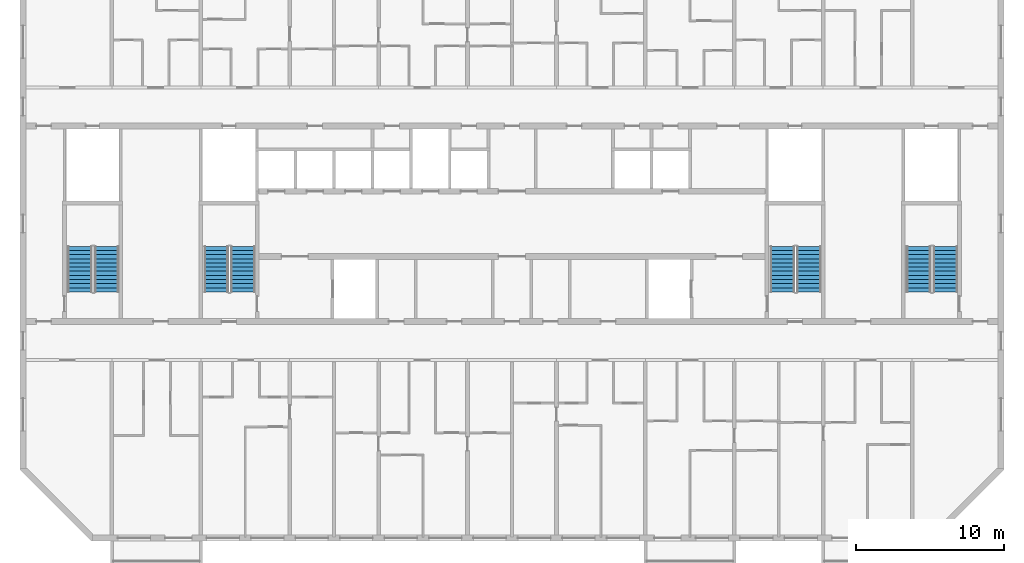
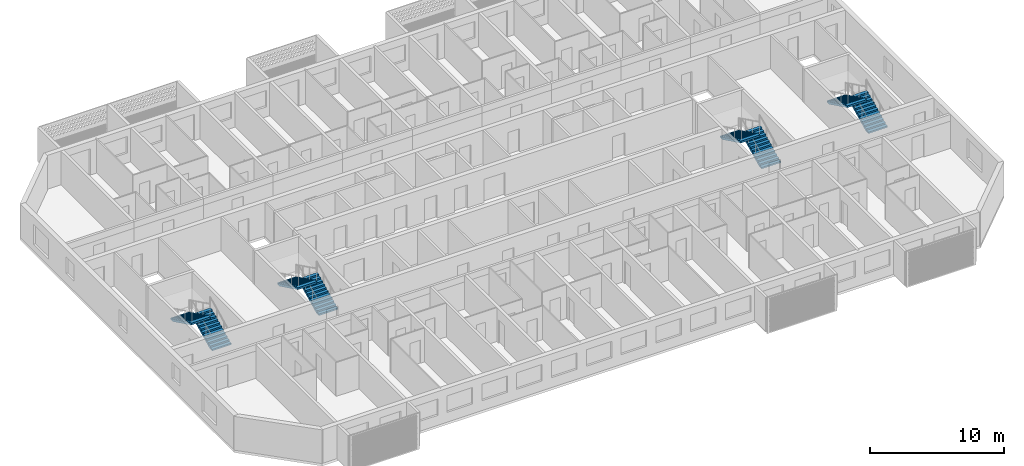
# One storey, part 12 of 28: 8 stair flights, 4 elements without a shape of their own.
"""IFC4 building model written with IfcOpenShell, lengths in metres."""

from ifc_helpers import new_model, si_unit, direction, frame, origin, place, context, subcontext, project, spatial, polyline, outline, extrude, material, layer, layer_set, type_object, element, aggregate, save


model = new_model("IFC4")

# Units and contexts
model_context = context("Model", 3, precision=1e-05, world=origin(), true_north=direction((0.0, 1.0)))
body_context = subcontext(model_context, "Body", "Model", "MODEL_VIEW")
ifc_project = project(units=[si_unit("LENGTHUNIT", "METRE"), si_unit("AREAUNIT", "SQUARE_METRE"), si_unit("VOLUMEUNIT", "CUBIC_METRE"), si_unit("PLANEANGLEUNIT", "RADIAN"), si_unit("MASSUNIT", "GRAM", prefix="KILO")], contexts=[model_context])

# Site, building, storey
site_placement = place(None, origin())
site = spatial("IfcSite", under=ifc_project, at=site_placement, CompositionType="ELEMENT")
building_placement = place(site_placement, origin())
building = spatial("IfcBuilding", under=site, at=building_placement, Name="Poui Terraces", CompositionType="ELEMENT")
storey_placement = place(building_placement, frame((0.0, 0.0, 185.10009765625)))
storey = spatial("IfcBuildingStorey", under=building, at=storey_placement, Name="L51", CompositionType="ELEMENT", Elevation=185.10009765625)

# Stair, stair flights
ifc_material = material(Name="Concrete 50 MPa", Category="concrete")
stair_type = type_object("IfcStairType", Name="EXIT STAIR 1650 50 MPA", PredefinedType="HALF_TURN_STAIR", material=ifc_material)
stair_1_placement = place(storey_placement, origin())
stair_1 = element("IfcStair", 1, at=stair_1_placement, inside=storey, type_object=stair_type, Name="L51 CORE STAIR EAST", PredefinedType="HALF_TURN_STAIR")
ifc_layer = layer(ifc_material, 0.14990234375)
ifc_layer_set = layer_set([ifc_layer], Name="Concrete 50 MPa")
stair_flight_type = type_object("IfcStairFlightType", Name="STAIR FLIGHT 12 RISERS 138 RISE 50 MPA", PredefinedType="STRAIGHT", material=ifc_layer_set)
stair_flight_1_placement = place(storey_placement, frame((71.050048828125, 16.60009765625, 0.0), z_axis=(0.0, 0.0, 1.0), x_axis=(0.0, 1.0, 0.0)))
stair_flight_1 = element("IfcStairFlight", 2, at=stair_flight_1_placement, type_object=stair_flight_type, Name="ST-CE flight 1", NumberOfRisers=12, NumberOfTreads=11, PredefinedType="STRAIGHT", RiserHeight=0.1375, TreadLength=0.28, context=body_context, shape_type="SweptSolid", body=[
    extrude(outline(polyline([(0.0, 0.0), (0.0, 0.137451171875), (0.280029296875, 0.137451171875), (0.280029296875, 0.27490234375), (0.56005859375, 0.27490234375), (0.56005859375, 0.41259765625), (0.840087890625, 0.41259765625), (0.840087890625, 0.550048828125), (1.1201171875, 0.550048828125), (1.1201171875, 0.6875), (1.39990234375, 0.6875), (1.39990234375, 0.824951171875), (1.679931640625, 0.824951171875), (1.679931640625, 0.96240234375), (1.9599609375, 0.96240234375), (1.9599609375, 1.10009765625), (2.239990234375, 1.10009765625), (2.239990234375, 1.237548828125), (2.52001953125, 1.237548828125), (2.52001953125, 1.375), (2.800048828125, 1.375), (2.800048828125, 1.512451171875), (3.080078125, 1.512451171875), (3.080078125, 1.64990234375), (3.080078125, 1.345458984375), (0.340087890625, 0.0), (0.0, 0.0)])), frame((0.0, 0.824951171875, 0.0), z_axis=(0.0, -1.0, 0.0), x_axis=(1.0, 0.0, 0.0)), (0.0, 0.0, 1.0), 1.64990234375),
])
stair_flight_2_placement = place(storey_placement, frame((69.25, 19.679931640625, 1.64990234375), z_axis=(0.0, 0.0, 1.0), x_axis=(0.0, -1.0, 0.0)))
stair_flight_2 = element("IfcStairFlight", 3, at=stair_flight_2_placement, type_object=stair_flight_type, Name="ST-CE flight 2", NumberOfRisers=12, NumberOfTreads=11, PredefinedType="STRAIGHT", RiserHeight=0.1375, TreadLength=0.28, context=body_context, shape_type="SweptSolid", body=[
    extrude(outline(polyline([(0.0, 0.0), (0.0, 0.137451171875), (0.280029296875, 0.137451171875), (0.280029296875, 0.27490234375), (0.56005859375, 0.27490234375), (0.56005859375, 0.41259765625), (0.840087890625, 0.41259765625), (0.840087890625, 0.550048828125), (1.1201171875, 0.550048828125), (1.1201171875, 0.6875), (1.39990234375, 0.6875), (1.39990234375, 0.824951171875), (1.679931640625, 0.824951171875), (1.679931640625, 0.96240234375), (1.9599609375, 0.96240234375), (1.9599609375, 1.10009765625), (2.239990234375, 1.10009765625), (2.239990234375, 1.237548828125), (2.52001953125, 1.237548828125), (2.52001953125, 1.375), (2.800048828125, 1.375), (2.800048828125, 1.512451171875), (3.080078125, 1.512451171875), (3.080078125, 1.64990234375), (3.080078125, 1.345458984375), (0.340087890625, 0.0), (0.0, 0.0)])), frame((0.0, 0.824951171875, 0.0), z_axis=(0.0, -1.0, 0.0), x_axis=(1.0, 0.0, 0.0)), (0.0, 0.0, 1.0), 1.64990234375),
])
aggregate(stair_1, [stair_flight_1, stair_flight_2])

stair_2_placement = place(storey_placement, origin())
stair_2 = element("IfcStair", 4, at=stair_2_placement, inside=storey, type_object=stair_type, Name="L51 CORE STAIR WEST", PredefinedType="HALF_TURN_STAIR")
stair_flight_3_placement = place(storey_placement, frame((32.85009765625, 16.60009765625, 0.0), z_axis=(0.0, 0.0, 1.0), x_axis=(0.0, 1.0, 0.0)))
stair_flight_3 = element("IfcStairFlight", 5, at=stair_flight_3_placement, type_object=stair_flight_type, Name="ST-CW flight 1", NumberOfRisers=12, NumberOfTreads=11, PredefinedType="STRAIGHT", RiserHeight=0.1375, TreadLength=0.28, context=body_context, shape_type="SweptSolid", body=[
    extrude(outline(polyline([(0.0, 0.0), (0.0, 0.137451171875), (0.280029296875, 0.137451171875), (0.280029296875, 0.27490234375), (0.56005859375, 0.27490234375), (0.56005859375, 0.41259765625), (0.840087890625, 0.41259765625), (0.840087890625, 0.550048828125), (1.1201171875, 0.550048828125), (1.1201171875, 0.6875), (1.39990234375, 0.6875), (1.39990234375, 0.824951171875), (1.679931640625, 0.824951171875), (1.679931640625, 0.96240234375), (1.9599609375, 0.96240234375), (1.9599609375, 1.10009765625), (2.239990234375, 1.10009765625), (2.239990234375, 1.237548828125), (2.52001953125, 1.237548828125), (2.52001953125, 1.375), (2.800048828125, 1.375), (2.800048828125, 1.512451171875), (3.080078125, 1.512451171875), (3.080078125, 1.64990234375), (3.080078125, 1.345458984375), (0.340087890625, 0.0), (0.0, 0.0)])), frame((0.0, 0.824951171875, 0.0), z_axis=(0.0, -1.0, 0.0), x_axis=(1.0, 0.0, 0.0)), (0.0, 0.0, 1.0), 1.64990234375),
])
stair_flight_4_placement = place(storey_placement, frame((31.050048828125, 19.679931640625, 1.64990234375), z_axis=(0.0, 0.0, 1.0), x_axis=(0.0, -1.0, 0.0)))
stair_flight_4 = element("IfcStairFlight", 6, at=stair_flight_4_placement, type_object=stair_flight_type, Name="ST-CW flight 2", NumberOfRisers=12, NumberOfTreads=11, PredefinedType="STRAIGHT", RiserHeight=0.1375, TreadLength=0.28, context=body_context, shape_type="SweptSolid", body=[
    extrude(outline(polyline([(0.0, 0.0), (0.0, 0.137451171875), (0.280029296875, 0.137451171875), (0.280029296875, 0.27490234375), (0.56005859375, 0.27490234375), (0.56005859375, 0.41259765625), (0.840087890625, 0.41259765625), (0.840087890625, 0.550048828125), (1.1201171875, 0.550048828125), (1.1201171875, 0.6875), (1.39990234375, 0.6875), (1.39990234375, 0.824951171875), (1.679931640625, 0.824951171875), (1.679931640625, 0.96240234375), (1.9599609375, 0.96240234375), (1.9599609375, 1.10009765625), (2.239990234375, 1.10009765625), (2.239990234375, 1.237548828125), (2.52001953125, 1.237548828125), (2.52001953125, 1.375), (2.800048828125, 1.375), (2.800048828125, 1.512451171875), (3.080078125, 1.512451171875), (3.080078125, 1.64990234375), (3.080078125, 1.345458984375), (0.340087890625, 0.0), (0.0, 0.0)])), frame((0.0, 0.824951171875, 0.0), z_axis=(0.0, -1.0, 0.0), x_axis=(1.0, 0.0, 0.0)), (0.0, 0.0, 1.0), 1.64990234375),
])
aggregate(stair_2, [stair_flight_3, stair_flight_4])

stair_3_placement = place(storey_placement, origin())
stair_3 = element("IfcStair", 7, at=stair_3_placement, inside=storey, type_object=stair_type, Name="L51 TIP STAIR EAST", PredefinedType="HALF_TURN_STAIR")
stair_flight_5_placement = place(storey_placement, frame((80.25, 16.60009765625, 0.0), z_axis=(0.0, 0.0, 1.0), x_axis=(0.0, 1.0, 0.0)))
stair_flight_5 = element("IfcStairFlight", 8, at=stair_flight_5_placement, type_object=stair_flight_type, Name="ST-E flight 1", NumberOfRisers=12, NumberOfTreads=11, PredefinedType="STRAIGHT", RiserHeight=0.1375, TreadLength=0.28, context=body_context, shape_type="SweptSolid", body=[
    extrude(outline(polyline([(0.0, 0.0), (0.0, 0.137451171875), (0.280029296875, 0.137451171875), (0.280029296875, 0.27490234375), (0.56005859375, 0.27490234375), (0.56005859375, 0.41259765625), (0.840087890625, 0.41259765625), (0.840087890625, 0.550048828125), (1.1201171875, 0.550048828125), (1.1201171875, 0.6875), (1.39990234375, 0.6875), (1.39990234375, 0.824951171875), (1.679931640625, 0.824951171875), (1.679931640625, 0.96240234375), (1.9599609375, 0.96240234375), (1.9599609375, 1.10009765625), (2.239990234375, 1.10009765625), (2.239990234375, 1.237548828125), (2.52001953125, 1.237548828125), (2.52001953125, 1.375), (2.800048828125, 1.375), (2.800048828125, 1.512451171875), (3.080078125, 1.512451171875), (3.080078125, 1.64990234375), (3.080078125, 1.345458984375), (0.340087890625, 0.0), (0.0, 0.0)])), frame((0.0, 0.824951171875, 0.0), z_axis=(0.0, -1.0, 0.0), x_axis=(1.0, 0.0, 0.0)), (0.0, 0.0, 1.0), 1.64990234375),
])
stair_flight_6_placement = place(storey_placement, frame((78.449951171875, 19.679931640625, 1.64990234375), z_axis=(0.0, 0.0, 1.0), x_axis=(0.0, -1.0, 0.0)))
stair_flight_6 = element("IfcStairFlight", 9, at=stair_flight_6_placement, type_object=stair_flight_type, Name="ST-E flight 2", NumberOfRisers=12, NumberOfTreads=11, PredefinedType="STRAIGHT", RiserHeight=0.1375, TreadLength=0.28, context=body_context, shape_type="SweptSolid", body=[
    extrude(outline(polyline([(0.0, 0.0), (0.0, 0.137451171875), (0.280029296875, 0.137451171875), (0.280029296875, 0.27490234375), (0.56005859375, 0.27490234375), (0.56005859375, 0.41259765625), (0.840087890625, 0.41259765625), (0.840087890625, 0.550048828125), (1.1201171875, 0.550048828125), (1.1201171875, 0.6875), (1.39990234375, 0.6875), (1.39990234375, 0.824951171875), (1.679931640625, 0.824951171875), (1.679931640625, 0.96240234375), (1.9599609375, 0.96240234375), (1.9599609375, 1.10009765625), (2.239990234375, 1.10009765625), (2.239990234375, 1.237548828125), (2.52001953125, 1.237548828125), (2.52001953125, 1.375), (2.800048828125, 1.375), (2.800048828125, 1.512451171875), (3.080078125, 1.512451171875), (3.080078125, 1.64990234375), (3.080078125, 1.345458984375), (0.340087890625, 0.0), (0.0, 0.0)])), frame((0.0, 0.824951171875, 0.0), z_axis=(0.0, -1.0, 0.0), x_axis=(1.0, 0.0, 0.0)), (0.0, 0.0, 1.0), 1.64990234375),
])
aggregate(stair_3, [stair_flight_5, stair_flight_6])

stair_4_placement = place(storey_placement, origin())
stair_4 = element("IfcStair", 10, at=stair_4_placement, inside=storey, type_object=stair_type, Name="L51 TIP STAIR WEST", PredefinedType="HALF_TURN_STAIR")
stair_flight_7_placement = place(storey_placement, frame((23.64990234375, 16.60009765625, 0.0), z_axis=(0.0, 0.0, 1.0), x_axis=(0.0, 1.0, 0.0)))
stair_flight_7 = element("IfcStairFlight", 11, at=stair_flight_7_placement, type_object=stair_flight_type, Name="ST-W flight 1", NumberOfRisers=12, NumberOfTreads=11, PredefinedType="STRAIGHT", RiserHeight=0.1375, TreadLength=0.28, context=body_context, shape_type="SweptSolid", body=[
    extrude(outline(polyline([(0.0, 0.0), (0.0, 0.137451171875), (0.280029296875, 0.137451171875), (0.280029296875, 0.27490234375), (0.56005859375, 0.27490234375), (0.56005859375, 0.41259765625), (0.840087890625, 0.41259765625), (0.840087890625, 0.550048828125), (1.1201171875, 0.550048828125), (1.1201171875, 0.6875), (1.39990234375, 0.6875), (1.39990234375, 0.824951171875), (1.679931640625, 0.824951171875), (1.679931640625, 0.96240234375), (1.9599609375, 0.96240234375), (1.9599609375, 1.10009765625), (2.239990234375, 1.10009765625), (2.239990234375, 1.237548828125), (2.52001953125, 1.237548828125), (2.52001953125, 1.375), (2.800048828125, 1.375), (2.800048828125, 1.512451171875), (3.080078125, 1.512451171875), (3.080078125, 1.64990234375), (3.080078125, 1.345458984375), (0.340087890625, 0.0), (0.0, 0.0)])), frame((0.0, 0.824951171875, 0.0), z_axis=(0.0, -1.0, 0.0), x_axis=(1.0, 0.0, 0.0)), (0.0, 0.0, 1.0), 1.64990234375),
])
stair_flight_8_placement = place(storey_placement, frame((21.85009765625, 19.679931640625, 1.64990234375), z_axis=(0.0, 0.0, 1.0), x_axis=(0.0, -1.0, 0.0)))
stair_flight_8 = element("IfcStairFlight", 12, at=stair_flight_8_placement, type_object=stair_flight_type, Name="ST-W flight 2", NumberOfRisers=12, NumberOfTreads=11, PredefinedType="STRAIGHT", RiserHeight=0.1375, TreadLength=0.28, context=body_context, shape_type="SweptSolid", body=[
    extrude(outline(polyline([(0.0, 0.0), (0.0, 0.137451171875), (0.280029296875, 0.137451171875), (0.280029296875, 0.27490234375), (0.56005859375, 0.27490234375), (0.56005859375, 0.41259765625), (0.840087890625, 0.41259765625), (0.840087890625, 0.550048828125), (1.1201171875, 0.550048828125), (1.1201171875, 0.6875), (1.39990234375, 0.6875), (1.39990234375, 0.824951171875), (1.679931640625, 0.824951171875), (1.679931640625, 0.96240234375), (1.9599609375, 0.96240234375), (1.9599609375, 1.10009765625), (2.239990234375, 1.10009765625), (2.239990234375, 1.237548828125), (2.52001953125, 1.237548828125), (2.52001953125, 1.375), (2.800048828125, 1.375), (2.800048828125, 1.512451171875), (3.080078125, 1.512451171875), (3.080078125, 1.64990234375), (3.080078125, 1.345458984375), (0.340087890625, 0.0), (0.0, 0.0)])), frame((0.0, 0.824951171875, 0.0), z_axis=(0.0, -1.0, 0.0), x_axis=(1.0, 0.0, 0.0)), (0.0, 0.0, 1.0), 1.64990234375),
])
aggregate(stair_4, [stair_flight_7, stair_flight_8])

save(model, "model.ifc")
